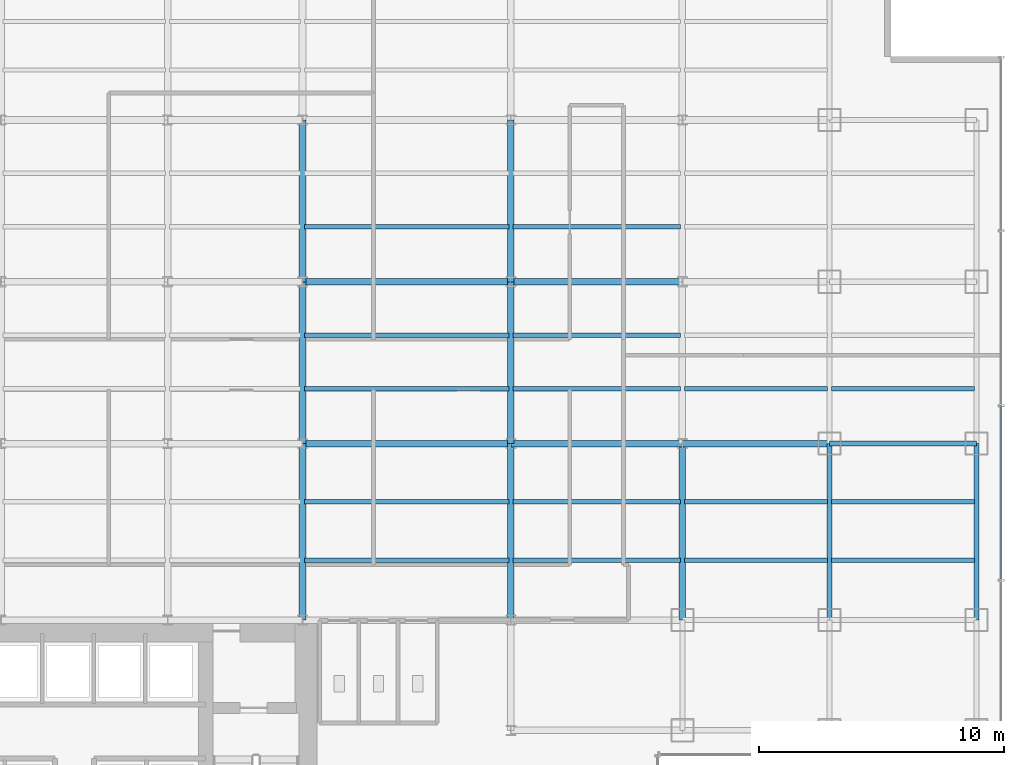
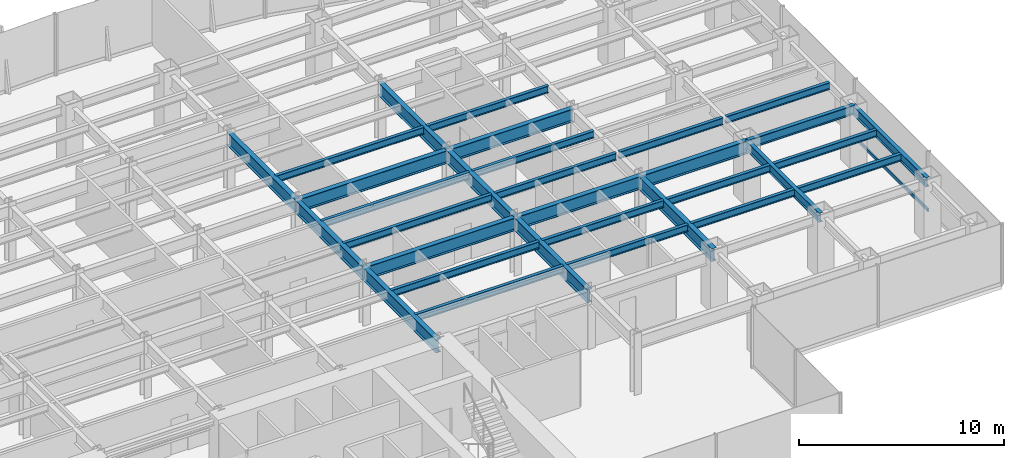
# One storey, part 8 of 22: 31 beams, 1 member, 1 element without a shape of its own.
"""IFC4 building model written with IfcOpenShell, lengths in metres."""

from ifc_helpers import new_model, si_unit, derived_unit, direction, frame, origin, origin_2d, place, context, subcontext, project, spatial, hollow_rectangle, i_section, extrude, source, transform, mapped, material, material_profile, profile_set, type_object, element, aggregate, save


model = new_model("IFC4")

# Units and contexts
model_context = context("Model", 3, precision=1e-05, world=origin(), true_north=direction((0.0, 1.0)))
body_context = subcontext(model_context, "Body", "Model", "MODEL_VIEW")
ifc_project = project(units=[si_unit("LENGTHUNIT", "METRE"), si_unit("AREAUNIT", "SQUARE_METRE"), si_unit("VOLUMEUNIT", "CUBIC_METRE"), si_unit("PLANEANGLEUNIT", "RADIAN"), si_unit("MASSUNIT", "GRAM", prefix="KILO"), derived_unit("THERMALTRANSMITTANCEUNIT", [(si_unit("POWERUNIT", "WATT"), 1), (si_unit("LENGTHUNIT", "METRE"), -2), (si_unit("THERMODYNAMICTEMPERATUREUNIT", "KELVIN"), -1)])], contexts=[model_context])

# Site, building, storey
site_placement = place(None, origin())
site = spatial("IfcSite", under=ifc_project, at=site_placement, CompositionType="ELEMENT")
building_placement = place(site_placement, origin())
building = spatial("IfcBuilding", under=site, at=building_placement, Name="Skarnbrae Concourse Arena and Tower", CompositionType="ELEMENT")
storey_placement = place(building_placement, frame((0.0, 0.0, 32.5)))
storey = spatial("IfcBuildingStorey", under=building, at=storey_placement, Name="L06", CompositionType="ELEMENT", Elevation=32.5)

# Beams
ifc_material_1 = material(Name="Steel CSA G40.21 350W", Category="steel")
ifc_material_profile_1 = material_profile(ifc_material_1, i_section(OverallWidth=0.26806640625, OverallDepth=0.77001953125, WebThickness=0.015625, FlangeThickness=0.025390625, at=origin_2d()), Name="W760X196")
ifc_profile_set_1 = profile_set([ifc_material_profile_1], Name="Steel CSA G40.21 350W")
beam_type_1 = type_object("IfcBeamType", Name="BM-GIRD-W760X196", PredefinedType="BEAM", material=ifc_profile_set_1)
shared_shape_1 = source(origin(), body_context, "Body", "SweptSolid", [
    extrude(i_section(OverallWidth=0.26806640625, OverallDepth=0.77001953125, WebThickness=0.015625, FlangeThickness=0.025390625, at=origin_2d()), origin(), (0.0, 0.0, 1.0), 7.0),
])
for number, where, z_axis, x_axis, name in (
    (1, (42.0, 21.199951171875, 3.014892578125), (1.0, 0.0, 0.0), (0.0, 1.0, 0.0), "L06 Primary E-W girder Y21.2-7"),
    (2, (42.0, 27.800048828125, 3.014892578125), (1.0, 0.0, 0.0), (0.0, 1.0, 0.0), "L06 Primary E-W girder Y27.8-7"),
):
    element("IfcBeam", number, at=place(storey_placement, frame(where, z_axis=z_axis, x_axis=x_axis)), inside=storey, type_object=beam_type_1, Name=name, PredefinedType="BEAM", context=body_context, shape_type="MappedRepresentation", body=[
        mapped(shared_shape_1, transform((0.0, 0.0, 0.0))),
    ])
ifc_material_profile_2 = material_profile(ifc_material_1, i_section(OverallWidth=0.214111328125, OverallDepth=0.549072265625, WebThickness=0.0146484375, FlangeThickness=0.023681640625, at=origin_2d()), Name="W530X138")
ifc_profile_set_2 = profile_set([ifc_material_profile_2], Name="Steel CSA G40.21 350W")
beam_type_2 = type_object("IfcBeamType", Name="BM-SPAN-W530X138", PredefinedType="SPANDREL", material=ifc_profile_set_2)
shared_shape_2 = source(origin(), body_context, "Body", "SweptSolid", [
    extrude(i_section(OverallWidth=0.214111328125, OverallDepth=0.549072265625, WebThickness=0.0146484375, FlangeThickness=0.023681640625, at=origin_2d()), origin(), (0.0, 0.0, 1.0), 6.0),
])
beam_1_placement = place(storey_placement, frame((55.0, 21.199951171875, 3.12548828125), z_axis=(1.0, 0.0, 0.0), x_axis=(0.0, 1.0, 0.0)))
element("IfcBeam", 3, at=beam_1_placement, inside=storey, type_object=beam_type_2, Name="L06 Perimeter spandrel Y21.2-9", PredefinedType="SPANDREL", context=body_context, shape_type="MappedRepresentation", body=[
    mapped(shared_shape_2, transform((0.0, 0.0, 0.0))),
])
shared_shape_3 = source(origin(), body_context, "Body", "SweptSolid", [
    extrude(i_section(OverallWidth=0.26806640625, OverallDepth=0.77001953125, WebThickness=0.015625, FlangeThickness=0.025390625, at=origin_2d()), origin(), (0.0, 0.0, 1.0), 6.60009765625),
])
for number, where, z_axis, x_axis, name in (
    (4, (33.5, 21.199951171875, 3.014892578125), (0.0, 1.0, 0.0), (-1.0, 0.0, 0.0), "L06 Primary N-S girder X33.5-2"),
    (5, (42.0, 21.199951171875, 3.014892578125), (0.0, 1.0, 0.0), (-1.0, 0.0, 0.0), "L06 Primary N-S girder X42.0-3"),
):
    element("IfcBeam", number, at=place(storey_placement, frame(where, z_axis=z_axis, x_axis=x_axis)), inside=storey, type_object=beam_type_1, Name=name, PredefinedType="BEAM", context=body_context, shape_type="MappedRepresentation", body=[
        mapped(shared_shape_3, transform((0.0, 0.0, 0.0))),
    ])
shared_shape_4 = source(origin(), body_context, "Body", "SweptSolid", [
    extrude(i_section(OverallWidth=0.26806640625, OverallDepth=0.77001953125, WebThickness=0.015625, FlangeThickness=0.025390625, at=origin_2d()), origin(), (0.0, 0.0, 1.0), 8.5),
])
for number, where, z_axis, x_axis, name in (
    (6, (33.5, 21.199951171875, 3.014892578125), (1.0, 0.0, 0.0), (0.0, 1.0, 0.0), "L06 Primary E-W girder Y21.2-6"),
    (7, (33.5, 27.800048828125, 3.014892578125), (1.0, 0.0, 0.0), (0.0, 1.0, 0.0), "L06 Primary E-W girder Y27.8-6"),
):
    element("IfcBeam", number, at=place(storey_placement, frame(where, z_axis=z_axis, x_axis=x_axis)), inside=storey, type_object=beam_type_1, Name=name, PredefinedType="BEAM", context=body_context, shape_type="MappedRepresentation", body=[
        mapped(shared_shape_4, transform((0.0, 0.0, 0.0))),
    ])
shared_shape_5 = source(origin(), body_context, "Body", "SweptSolid", [
    extrude(i_section(OverallWidth=0.26806640625, OverallDepth=0.77001953125, WebThickness=0.015625, FlangeThickness=0.025390625, at=origin_2d()), origin(), (0.0, 0.0, 1.0), 6.0),
])
beam_2_placement = place(storey_placement, frame((49.0, 21.199951171875, 3.014892578125), z_axis=(1.0, 0.0, 0.0), x_axis=(0.0, 1.0, 0.0)))
element("IfcBeam", 8, at=beam_2_placement, inside=storey, type_object=beam_type_1, Name="L06 Primary E-W girder Y21.2-8", PredefinedType="BEAM", context=body_context, shape_type="MappedRepresentation", body=[
    mapped(shared_shape_5, transform((0.0, 0.0, 0.0))),
])
shared_shape_6 = source(origin(), body_context, "Body", "SweptSolid", [
    extrude(i_section(OverallWidth=0.214111328125, OverallDepth=0.549072265625, WebThickness=0.0146484375, FlangeThickness=0.023681640625, at=origin_2d()), origin(), (0.0, 0.0, 1.0), 7.199951171875),
])
for number, where, z_axis, x_axis, name in (
    (9, (55.0, 14.0, 3.12548828125), (0.0, 1.0, 0.0), (-1.0, 0.0, 0.0), "L06 Perimeter spandrel X55.0-2"),
    (10, (61.0, 14.0, 3.12548828125), (0.0, 1.0, 0.0), (-1.0, 0.0, 0.0), "L06 Perimeter spandrel X61.0-2"),
):
    element("IfcBeam", number, at=place(storey_placement, frame(where, z_axis=z_axis, x_axis=x_axis)), inside=storey, type_object=beam_type_2, Name=name, PredefinedType="SPANDREL", context=body_context, shape_type="MappedRepresentation", body=[
        mapped(shared_shape_6, transform((0.0, 0.0, 0.0))),
    ])
shared_shape_7 = source(origin(), body_context, "Body", "SweptSolid", [
    extrude(i_section(OverallWidth=0.26806640625, OverallDepth=0.77001953125, WebThickness=0.015625, FlangeThickness=0.025390625, at=origin_2d()), origin(), (0.0, 0.0, 1.0), 7.199951171875),
])
for number, where, z_axis, x_axis, name in (
    (11, (33.5, 14.0, 3.014892578125), (0.0, 1.0, 0.0), (-1.0, 0.0, 0.0), "L06 Primary N-S girder X33.5-1"),
    (12, (42.0, 14.0, 3.014892578125), (0.0, 1.0, 0.0), (-1.0, 0.0, 0.0), "L06 Primary N-S girder X42.0-2"),
    (13, (49.0, 14.0, 3.014892578125), (0.0, 1.0, 0.0), (-1.0, 0.0, 0.0), "L06 Primary N-S girder X49.0-2"),
):
    element("IfcBeam", number, at=place(storey_placement, frame(where, z_axis=z_axis, x_axis=x_axis)), inside=storey, type_object=beam_type_1, Name=name, PredefinedType="BEAM", context=body_context, shape_type="MappedRepresentation", body=[
        mapped(shared_shape_7, transform((0.0, 0.0, 0.0))),
    ])
shared_shape_8 = source(origin(), body_context, "Body", "SweptSolid", [
    extrude(i_section(OverallWidth=0.26806640625, OverallDepth=0.77001953125, WebThickness=0.015625, FlangeThickness=0.025390625, at=origin_2d()), origin(), (0.0, 0.0, 1.0), 6.599853515625),
])
for number, where, z_axis, x_axis, name in (
    (14, (33.5, 27.800048828125, 3.014892578125), (0.0, 1.0, 0.0), (-1.0, 0.0, 0.0), "L06 Primary N-S girder X33.5-3"),
    (15, (42.0, 27.800048828125, 3.014892578125), (0.0, 1.0, 0.0), (-1.0, 0.0, 0.0), "L06 Primary N-S girder X42.0-4"),
):
    element("IfcBeam", number, at=place(storey_placement, frame(where, z_axis=z_axis, x_axis=x_axis)), inside=storey, type_object=beam_type_1, Name=name, PredefinedType="BEAM", context=body_context, shape_type="MappedRepresentation", body=[
        mapped(shared_shape_8, transform((0.0, 0.0, 0.0))),
    ])
ifc_material_profile_3 = material_profile(ifc_material_1, i_section(OverallWidth=0.180908203125, OverallDepth=0.4169921875, WebThickness=0.010986328125, FlangeThickness=0.018310546875, at=origin_2d()), Name="W410X85")
ifc_profile_set_3 = profile_set([ifc_material_profile_3], Name="Steel CSA G40.21 350W")
beam_type_3 = type_object("IfcBeamType", Name="BM-JOIST-W410X85", PredefinedType="JOIST", material=ifc_profile_set_3)
shared_shape_9 = source(origin(), body_context, "Body", "SweptSolid", [
    extrude(i_section(OverallWidth=0.180908203125, OverallDepth=0.4169921875, WebThickness=0.010986328125, FlangeThickness=0.018310546875, at=origin_2d()), origin(), (0.0, 0.0, 1.0), 8.33984375),
])
for number, where, z_axis, x_axis, name in (
    (16, (33.580078125, 16.447998046875, 3.19140625), (1.0, 0.0, 0.0), (0.0, 1.0, 0.0), "L06 Secondary floor joist 1.1.6"),
    (17, (33.580078125, 18.823974609375, 3.19140625), (1.0, 0.0, 0.0), (0.0, 1.0, 0.0), "L06 Secondary floor joist 1.2.6"),
    (18, (33.580078125, 23.444091796875, 3.19140625), (1.0, 0.0, 0.0), (0.0, 1.0, 0.0), "L06 Secondary floor joist 2.1.6"),
    (19, (33.580078125, 25.6220703125, 3.19140625), (1.0, 0.0, 0.0), (0.0, 1.0, 0.0), "L06 Secondary floor joist 2.2.6"),
    (20, (33.580078125, 30.0439453125, 3.19140625), (1.0, 0.0, 0.0), (0.0, 1.0, 0.0), "L06 Secondary floor joist 3.1.6"),
):
    element("IfcBeam", number, at=place(storey_placement, frame(where, z_axis=z_axis, x_axis=x_axis)), inside=storey, type_object=beam_type_3, Name=name, PredefinedType="JOIST", context=body_context, shape_type="MappedRepresentation", body=[
        mapped(shared_shape_9, transform((0.0, 0.0, 0.0))),
    ])
shared_shape_10 = source(origin(), body_context, "Body", "SweptSolid", [
    extrude(i_section(OverallWidth=0.180908203125, OverallDepth=0.4169921875, WebThickness=0.010986328125, FlangeThickness=0.018310546875, at=origin_2d()), origin(), (0.0, 0.0, 1.0), 6.83984375),
])
for number, where, z_axis, x_axis, name in (
    (21, (42.080078125, 16.447998046875, 3.19140625), (1.0, 0.0, 0.0), (0.0, 1.0, 0.0), "L06 Secondary floor joist 1.1.7"),
    (22, (42.080078125, 18.823974609375, 3.19140625), (1.0, 0.0, 0.0), (0.0, 1.0, 0.0), "L06 Secondary floor joist 1.2.7"),
    (23, (42.080078125, 23.444091796875, 3.19140625), (1.0, 0.0, 0.0), (0.0, 1.0, 0.0), "L06 Secondary floor joist 2.1.7"),
    (24, (42.080078125, 25.6220703125, 3.19140625), (1.0, 0.0, 0.0), (0.0, 1.0, 0.0), "L06 Secondary floor joist 2.2.7"),
    (25, (42.080078125, 30.0439453125, 3.19140625), (1.0, 0.0, 0.0), (0.0, 1.0, 0.0), "L06 Secondary floor joist 3.1.7"),
):
    element("IfcBeam", number, at=place(storey_placement, frame(where, z_axis=z_axis, x_axis=x_axis)), inside=storey, type_object=beam_type_3, Name=name, PredefinedType="JOIST", context=body_context, shape_type="MappedRepresentation", body=[
        mapped(shared_shape_10, transform((0.0, 0.0, 0.0))),
    ])
shared_shape_11 = source(origin(), body_context, "Body", "SweptSolid", [
    extrude(i_section(OverallWidth=0.180908203125, OverallDepth=0.4169921875, WebThickness=0.010986328125, FlangeThickness=0.018310546875, at=origin_2d()), origin(), (0.0, 0.0, 1.0), 5.83984375),
])
for number, where, z_axis, x_axis, name in (
    (26, (49.080078125, 16.447998046875, 3.19140625), (1.0, 0.0, 0.0), (0.0, 1.0, 0.0), "L06 Secondary floor joist 1.1.8"),
    (27, (55.080078125, 16.447998046875, 3.19140625), (1.0, 0.0, 0.0), (0.0, 1.0, 0.0), "L06 Secondary floor joist 1.1.9"),
    (28, (49.080078125, 18.823974609375, 3.19140625), (1.0, 0.0, 0.0), (0.0, 1.0, 0.0), "L06 Secondary floor joist 1.2.8"),
    (29, (55.080078125, 18.823974609375, 3.19140625), (1.0, 0.0, 0.0), (0.0, 1.0, 0.0), "L06 Secondary floor joist 1.2.9"),
    (30, (49.080078125, 23.444091796875, 3.19140625), (1.0, 0.0, 0.0), (0.0, 1.0, 0.0), "L06 Secondary floor joist 2.1.8"),
    (31, (55.080078125, 23.444091796875, 3.19140625), (1.0, 0.0, 0.0), (0.0, 1.0, 0.0), "L06 Secondary floor joist 2.1.9"),
):
    element("IfcBeam", number, at=place(storey_placement, frame(where, z_axis=z_axis, x_axis=x_axis)), inside=storey, type_object=beam_type_3, Name=name, PredefinedType="JOIST", context=body_context, shape_type="MappedRepresentation", body=[
        mapped(shared_shape_11, transform((0.0, 0.0, 0.0))),
    ])

# Curtain wall, member
ifc_material_2 = material(Name="Bronze anodised aluminium 6063-T6", Category="aluminium")
curtain_wall_type = type_object("IfcCurtainWallType", Name="CW-SYS-02-LOWZONE", PredefinedType="USERDEFINED", material=ifc_material_2)
curtain_wall_placement = place(storey_placement, origin())
curtain_wall = element("IfcCurtainWall", 32, at=curtain_wall_placement, inside=storey, type_object=curtain_wall_type, Name="L06 Unitised curtain wall CW-L06-E04", ObjectType="UNITISED CURTAIN WALL", PredefinedType="USERDEFINED")
ifc_material_profile_4 = material_profile(ifc_material_2, hollow_rectangle(XDim=0.080078125, YDim=0.18994140625, WallThickness=0.0048828125, at=origin_2d()), Name="ALU-TRAN-80X190")
ifc_profile_set_4 = profile_set([ifc_material_profile_4], Name="Bronze anodised aluminium 6063-T6")
member_type = type_object("IfcMemberType", Name="CWT-CW-02", PredefinedType="USERDEFINED", material=ifc_profile_set_4)
shared_shape_12 = source(origin(), body_context, "Body", "SweptSolid", [
    extrude(hollow_rectangle(XDim=0.080078125, YDim=0.18994140625, WallThickness=0.0048828125, at=origin_2d()), origin(), (0.0, 0.0, 1.0), 7.044921875),
])
member_placement = place(storey_placement, frame((62.0, 15.6650390625, 0.094970703125), z_axis=(0.0, 1.0, 0.0), x_axis=(-1.0, 0.0, 0.0)))
member = element("IfcMember", 33, at=member_placement, type_object=member_type, Name="CW-L06-E04 Transom 2", ObjectType="TRANSOM", PredefinedType="USERDEFINED", context=body_context, shape_type="MappedRepresentation", body=[
    mapped(shared_shape_12, transform((0.0, 0.0, 0.0))),
])
aggregate(curtain_wall, [member])

save(model, "model.ifc")
